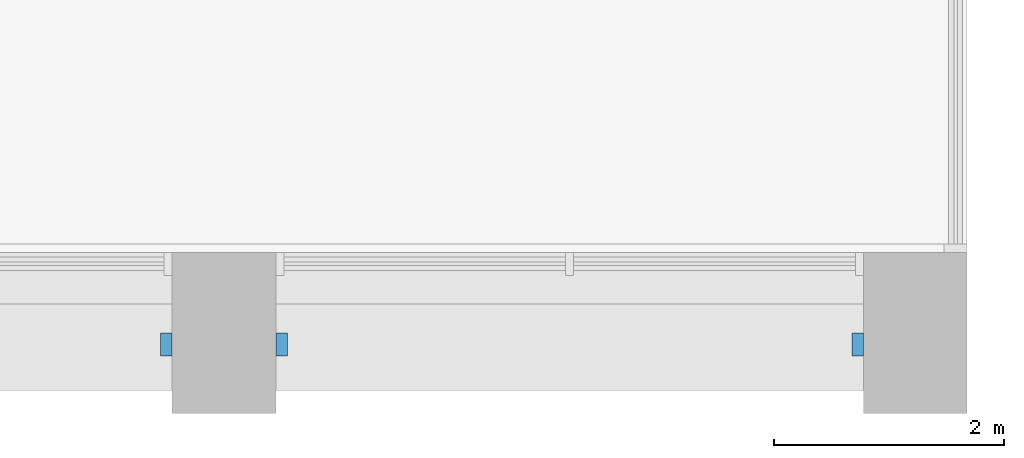
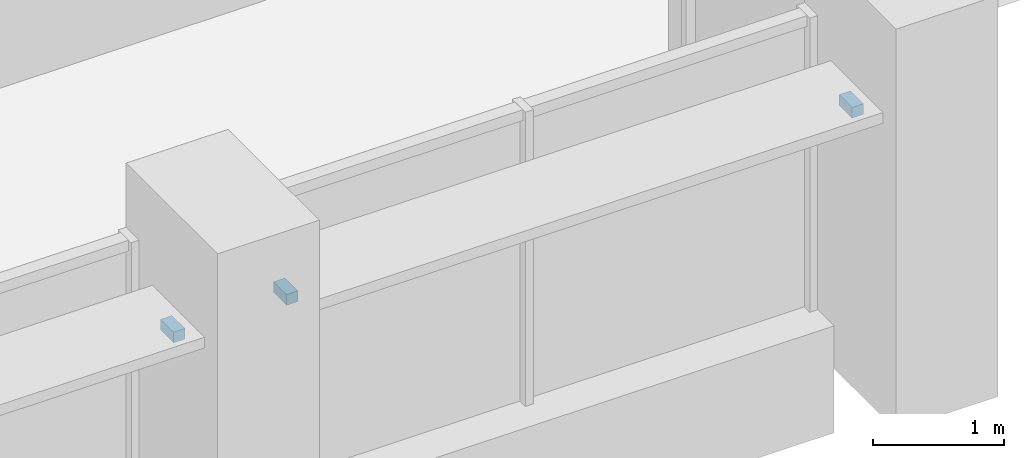
# One storey, part 15 of 16: 3 discrete accessories.
"""IFC4 building model written with IfcOpenShell, lengths in metres."""

from ifc_helpers import new_model, si_unit, direction, frame, origin, origin_2d, place, context, subcontext, project, spatial, rectangle, extrude, element, save


model = new_model("IFC4")

# Units and contexts
model_context = context("Model", 3, precision=1e-05, world=origin(), true_north=direction((0.0, 1.0)))
body_context = subcontext(model_context, "Body", "Model", "MODEL_VIEW")
ifc_project = project(units=[si_unit("LENGTHUNIT", "METRE"), si_unit("AREAUNIT", "SQUARE_METRE"), si_unit("VOLUMEUNIT", "CUBIC_METRE"), si_unit("PLANEANGLEUNIT", "RADIAN"), si_unit("MASSUNIT", "GRAM", prefix="KILO")], contexts=[model_context])

# Site, building, storey
site_placement = place(None, origin())
site = spatial("IfcSite", under=ifc_project, at=site_placement, CompositionType="ELEMENT")
building_placement = place(site_placement, origin())
building = spatial("IfcBuilding", under=site, at=building_placement, Name="Calvaro Tower", CompositionType="ELEMENT")
storey_placement = place(building_placement, frame((0.0, 0.0, 136.25)))
storey = spatial("IfcBuildingStorey", under=building, at=storey_placement, Name="L34", CompositionType="ELEMENT", Elevation=136.25)

# Discrete accessories
for number, where, z_axis, x_axis, name in (
    (1, (59.5, 2.10009765625, 2.25), (0.0, 0.0, 1.0), (1.0, 0.0, 0.0), "Brise-soleil bracket"),
    (2, (60.5, 2.10009765625, 2.25), (0.0, 0.0, 1.0), (1.0, 0.0, 0.0), "Brise-soleil bracket"),
    (3, (65.5, 2.10009765625, 2.25), (0.0, 0.0, 1.0), (1.0, 0.0, 0.0), "Brise-soleil bracket"),
):
    element("IfcDiscreteAccessory", number, at=place(storey_placement, frame(where, z_axis=z_axis, x_axis=x_axis)), inside=storey, Name=name, PredefinedType="BRACKET", context=body_context, shape_type="SweptSolid", body=[
        extrude(rectangle(XDim=0.10009765625, YDim=0.199951171875, at=origin_2d()), origin(), (0.0, 0.0, 1.0), 0.10009765625),
    ])

save(model, "model.ifc")
